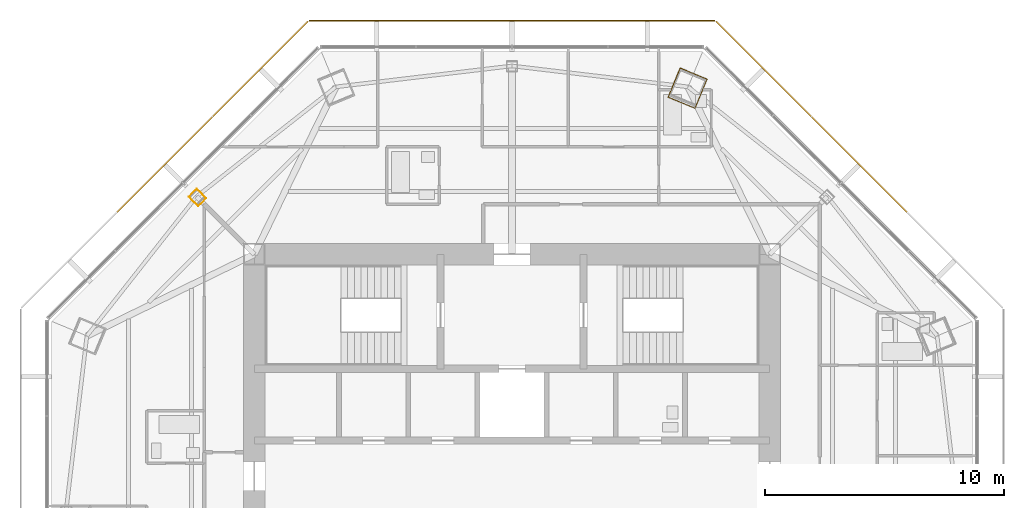
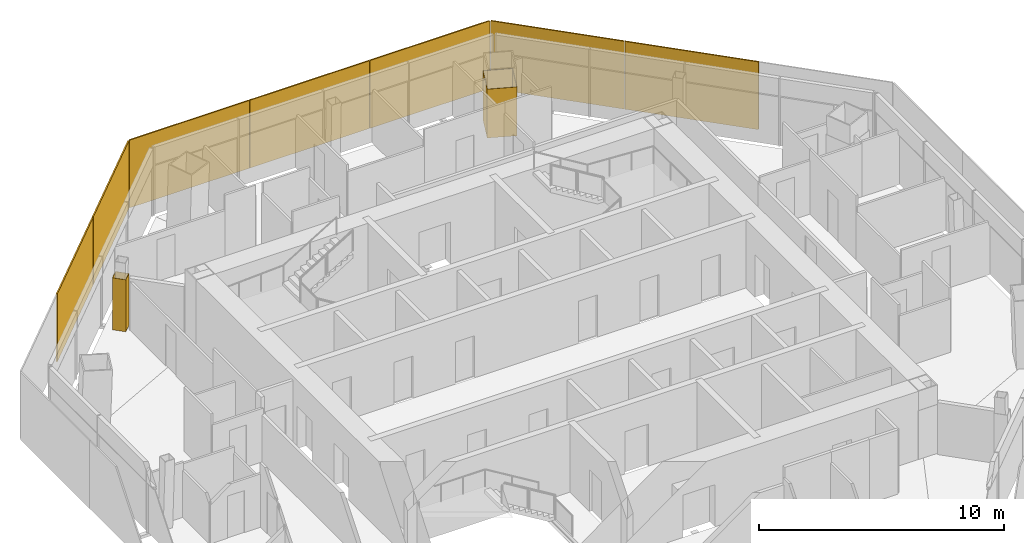
# One storey, part 14 of 15: 7 shading devices, 2 coverings.
"""IFC4 building model written with IfcOpenShell, lengths in metres."""

from ifc_helpers import new_model, si_unit, direction, frame, origin, origin_2d, place, context, subcontext, project, spatial, polyline, rectangle, outline, extrude, source, transform, mapped, material, layer, layer_set, type_object, type_shapes, element, save


model = new_model("IFC4")

# Units and contexts
model_context = context("Model", 3, precision=1e-05, world=origin(), true_north=direction((0.0, 1.0)))
body_context = subcontext(model_context, "Body", "Model", "MODEL_VIEW")
ifc_project = project(units=[si_unit("LENGTHUNIT", "METRE"), si_unit("AREAUNIT", "SQUARE_METRE"), si_unit("VOLUMEUNIT", "CUBIC_METRE"), si_unit("PLANEANGLEUNIT", "RADIAN"), si_unit("MASSUNIT", "GRAM", prefix="KILO")], contexts=[model_context])

# Site, building, storey
site_placement = place(None, origin())
site = spatial("IfcSite", under=ifc_project, at=site_placement, CompositionType="ELEMENT")
building_placement = place(site_placement, origin())
building = spatial("IfcBuilding", under=site, at=building_placement, Name="Mashrafa Tower", CompositionType="ELEMENT")
storey_placement = place(building_placement, frame((0.0, 0.0, 301.39990234375)))
storey = spatial("IfcBuildingStorey", under=building, at=storey_placement, Name="L74", CompositionType="ELEMENT", Elevation=301.39990234375)

# Coverings
ifc_material_1 = material(Name="Gypsum board")
ifc_layer_1 = layer(ifc_material_1, 0.014892578125)
ifc_layer_set_1 = layer_set([ifc_layer_1], Name="Column casing plasterboard 15")
covering_type = type_object("IfcCoveringType", Name="Column casing plasterboard 15", PredefinedType="CLADDING", material=ifc_layer_set_1)
covering_1_placement = place(storey_placement, origin())
element("IfcCovering", 1, at=covering_1_placement, inside=storey, type_object=covering_type, Name="Column casing L74-002", PredefinedType="CLADDING", context=body_context, shape_type="SweptSolid", body=[
    extrude(outline(polyline([(6.53369140625, 17.381103515625), (6.9990234375, 18.504150390625), (7.044677734375, 18.614013671875), (8.180908203125, 18.143310546875), (8.13525390625, 18.033447265625), (7.670166015625, 16.910400390625), (6.53369140625, 17.381103515625)]), holes=[polyline([(8.12158203125, 18.0390625), (8.161376953125, 18.13525390625), (7.052734375, 18.594482421875), (7.0126953125, 18.498291015625), (6.553466796875, 17.38916015625), (7.662109375, 16.929931640625), (8.12158203125, 18.0390625)])]), origin(), (0.0, 0.0, 1.0), 2.435791015625),
])
covering_2_placement = place(storey_placement, origin())
element("IfcCovering", 2, at=covering_2_placement, inside=storey, type_object=covering_type, Name="Column casing L74-004", PredefinedType="CLADDING", context=body_context, shape_type="SweptSolid", body=[
    extrude(outline(polyline([(-13.55419921875, 13.21484375), (-13.21484375, 13.55419921875), (-12.807373046875, 13.146728515625), (-13.146728515625, 12.807373046875), (-13.55419921875, 13.21484375)]), holes=[polyline([(-12.82861328125, 13.146728515625), (-13.21484375, 13.533203125), (-13.533203125, 13.21484375), (-13.146728515625, 12.82861328125), (-12.82861328125, 13.146728515625)])]), origin(), (0.0, 0.0, 1.0), 2.590576171875),
])

# Shading devices
ifc_material_2 = material(Name="Perforated aluminium plate, eight-point star pattern", Category="aluminium")
ifc_layer_2 = layer(ifc_material_2, 0.06005859375)
ifc_layer_set_2 = layer_set([ifc_layer_2], Name="Mashrabiya screen panel apartment zone 4, 22 percent open")
shading_device_type = type_object("IfcShadingDeviceType", Name="Mashrabiya screen panel apartment zone 4, 22 percent open", PredefinedType="SHUTTER", material=ifc_layer_set_2)
shared_shape = source(origin(), body_context, "Body", "SweptSolid", [
    extrude(rectangle(XDim=5.650390625, YDim=0.06005859375, at=origin_2d()), origin(), (0.0, 0.0, 1.0), 3.3798828125),
])
type_shapes(shading_device_type, [shared_shape])
for number, where, z_axis, x_axis, name in (
    (3, (14.558349609375, 14.558349609375, -0.14990234375), (0.0, 0.0, 1.0), (-0.707106781187, 0.707106781187, 0.0), "Mashrabiya screen L74 north-east 2"),
    (4, (10.548828125, 18.56787109375, -0.14990234375), (0.0, 0.0, 1.0), (-0.707106781187, 0.707106781187, 0.0), "Mashrabiya screen L74 north-east 3"),
    (5, (5.67041015625, 20.588623046875, -0.14990234375), (0.0, 0.0, 1.0), (-1.0, 0.0, 0.0), "Mashrabiya screen L74 north 1"),
    (6, (0.0, 20.588623046875, -0.14990234375), (0.0, 0.0, 1.0), (-1.0, 0.0, 0.0), "Mashrabiya screen L74 north 2"),
    (7, (-5.67041015625, 20.588623046875, -0.14990234375), (0.0, 0.0, 1.0), (-1.0, 0.0, 0.0), "Mashrabiya screen L74 north 3"),
    (8, (-10.548828125, 18.56787109375, -0.14990234375), (0.0, 0.0, 1.0), (-0.707106781187, -0.707106781187, 0.0), "Mashrabiya screen L74 north-west 1"),
    (9, (-14.558349609375, 14.558349609375, -0.14990234375), (0.0, 0.0, 1.0), (-0.707106781187, -0.707106781187, 0.0), "Mashrabiya screen L74 north-west 2"),
):
    element("IfcShadingDevice", number, at=place(storey_placement, frame(where, z_axis=z_axis, x_axis=x_axis)), inside=storey, type_object=shading_device_type, Name=name, PredefinedType="SHUTTER", context=body_context, shape_type="MappedRepresentation", body=[
        mapped(shared_shape, transform((0.0, 0.0, 0.0))),
    ])

save(model, "model.ifc")
